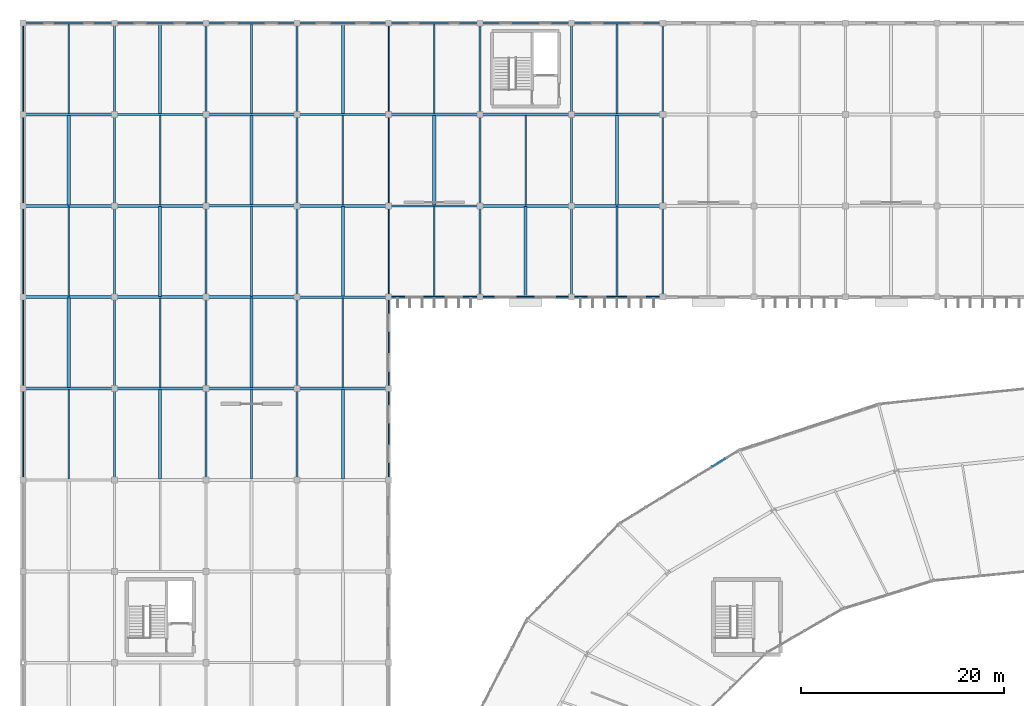
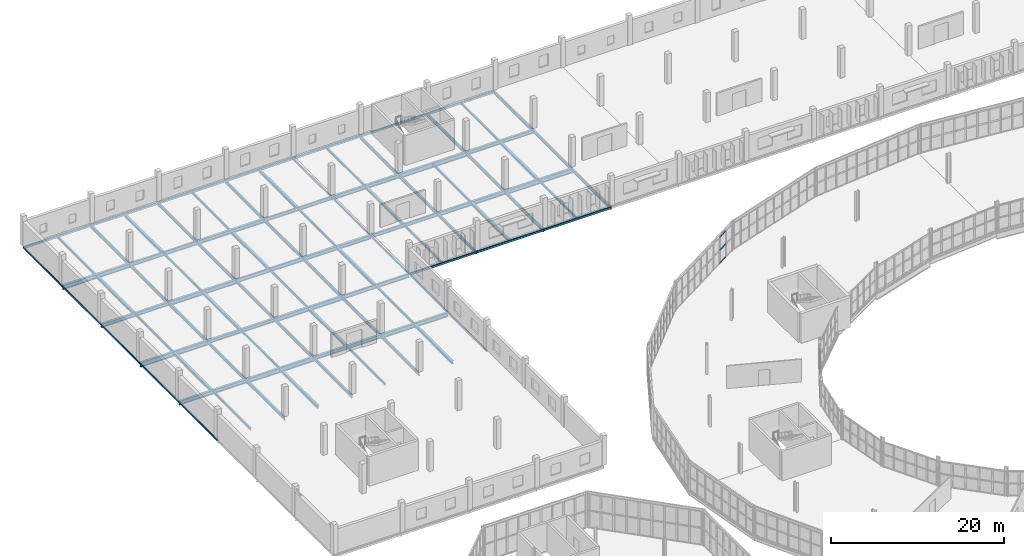
# One storey, part 94 of 161: 94 beams, 3 members, 1 element without a shape of its own.
"""IFC4 building model written with IfcOpenShell, lengths in metres."""

import ifcopenshell
import ifcopenshell.guid

model = None  # the IFC model being written
_history = None  # IfcOwnerHistory: only IFC2X3 demands one
_inside = {}  # id of a spatial element -> (the spatial element, [elements in it])
_under = {}  # id of a project, library or spatial element -> (it, [spatial elements below it])
_declared = {}  # id of a project -> (the project, [libraries it declares])
_typed = {}  # id of a type object -> (the type object, [elements of that type])
_made_of = {}  # id of a material, layer set ... -> (it, [elements and type objects made of it])


def new_model(schema):
    """Start an empty IFC model of exactly this schema.

    Asked for "IFC4X3", IfcOpenShell would pick the latest addendum, in which some entities
    have other attributes; the version numbers below select the first issue.
    IFC2X3 requires an IfcOwnerHistory on every rooted entity: one is made here for all.
    """
    global model, _history
    if schema == "IFC4X3":
        model = ifcopenshell.file(schema_version=(4, 3, 0, 0))
    else:
        model = ifcopenshell.file(schema=schema)
    _inside.clear()
    _under.clear()
    _declared.clear()
    _typed.clear()
    _made_of.clear()
    _history = None
    if model.schema == "IFC2X3":
        org = make("IfcOrganization", Name="unknown")
        user = make(
            "IfcPersonAndOrganization",
            ThePerson=make("IfcPerson", FamilyName="unknown"),
            TheOrganization=org,
        )
        app = make(
            "IfcApplication",
            ApplicationDeveloper=org,
            Version="unknown",
            ApplicationFullName="unknown",
            ApplicationIdentifier="unknown",
        )
        _history = make(
            "IfcOwnerHistory",
            OwningUser=user,
            OwningApplication=app,
            ChangeAction="ADDED",
            CreationDate=0,
        )
    return model


def make(cls, **values):
    """One entity of the class cls with the attributes given. An attribute that is None is left unset."""
    return model.create_entity(
        cls, **{name: value for name, value in values.items() if value is not None}
    )


def rooted(cls, **values):
    """An entity with a GlobalId (a new one), such as an element, a storey or a relation."""
    return make(cls, GlobalId=ifcopenshell.guid.new(), OwnerHistory=_history, **values)


def si_unit(unit_type, name, prefix=None):
    """IfcSIUnit, for example si_unit("LENGTHUNIT", "METRE", prefix="MILLI")."""
    return make("IfcSIUnit", UnitType=unit_type, Prefix=prefix, Name=name)


def assignment(units):
    """IfcUnitAssignment: the units of a project."""
    return None if units is None else make("IfcUnitAssignment", Units=units)


def point(xyz):
    """IfcCartesianPoint."""
    return None if xyz is None else make("IfcCartesianPoint", Coordinates=xyz)


def direction(xyz):
    """IfcDirection."""
    return None if xyz is None else make("IfcDirection", DirectionRatios=xyz)


def frame(location, z_axis=None, x_axis=None):
    """IfcAxis2Placement3D, a coordinate frame: its origin and axes. An axis left out is left unset."""
    return make(
        "IfcAxis2Placement3D",
        Location=point(location),
        Axis=direction(z_axis),
        RefDirection=direction(x_axis),
    )


def frame_2d(location, x_axis=None):
    """IfcAxis2Placement2D, a coordinate frame in the plane: its origin and x axis."""
    return make(
        "IfcAxis2Placement2D", Location=point(location), RefDirection=direction(x_axis)
    )


def origin():
    """The frame at (0, 0, 0) with its axes left unset."""
    return frame((0.0, 0.0, 0.0))


def origin_2d():
    """The frame at (0, 0) in the plane with its x axis left unset."""
    return frame_2d((0.0, 0.0))


def place(relative_to, where):
    """IfcLocalPlacement: puts the frame where relative to a parent placement (None: the world)."""
    return make(
        "IfcLocalPlacement", PlacementRelTo=relative_to, RelativePlacement=where
    )


def context(
    kind, dimensions, precision=None, world=None, true_north=None, identifier=None
):
    """IfcGeometricRepresentationContext, for example the 3D "Model" context."""
    return make(
        "IfcGeometricRepresentationContext",
        ContextIdentifier=identifier,
        ContextType=kind,
        CoordinateSpaceDimension=dimensions,
        Precision=precision,
        WorldCoordinateSystem=world,
        TrueNorth=true_north,
    )


def subcontext(parent, identifier, kind, view, scale=None):
    """IfcGeometricRepresentationSubContext, for example "Body" below "Model"."""
    return make(
        "IfcGeometricRepresentationSubContext",
        ContextIdentifier=identifier,
        ContextType=kind,
        ParentContext=parent,
        TargetScale=scale,
        TargetView=view,
    )


def project(units=None, contexts=None):
    """IfcProject with its units and contexts."""
    return rooted(
        "IfcProject",
        Name="project",
        RepresentationContexts=contexts,
        UnitsInContext=assignment(units),
    )


def spatial(cls, under=None, at=None, **own):
    """A site, building, storey or space (cls), placed at a placement, below another one or the project."""
    s = rooted(cls, ObjectPlacement=at, **own)
    if under is not None:
        _under.setdefault(under.id(), (under, []))[1].append(s)
    return s


def profile(cls, at=None, kind="AREA", **sizes):
    """A parametric profile (cls). Its sizes go by their IFC names, for example OverallWidth=200.0."""
    return make(cls, ProfileType=kind, Position=at, **sizes)


def rectangle(**sizes):
    """IfcRectangleProfileDef."""
    return profile("IfcRectangleProfileDef", **sizes)


def hollow_rectangle(**sizes):
    """IfcRectangleHollowProfileDef."""
    return profile("IfcRectangleHollowProfileDef", **sizes)


def i_section(**sizes):
    """IfcIShapeProfileDef."""
    return profile("IfcIShapeProfileDef", **sizes)


def extrude(swept, where, along, depth):
    """IfcExtrudedAreaSolid: the profile swept, set in the frame where, extruded along a direction by depth."""
    return make(
        "IfcExtrudedAreaSolid",
        SweptArea=swept,
        Position=where,
        ExtrudedDirection=direction(along),
        Depth=depth,
    )


def shape(context_of_items, identifier, shape_type, items):
    """IfcShapeRepresentation: the items that make up one representation, for example the "Body"."""
    return make(
        "IfcShapeRepresentation",
        ContextOfItems=context_of_items,
        RepresentationIdentifier=identifier,
        RepresentationType=shape_type,
        Items=items,
    )


def material(Name=None, Category=None):
    """IfcMaterial."""
    return make("IfcMaterial", Name=Name, Category=Category)


def material_profile(
    of_material, cross_section, Name=None, Category=None, Priority=None
):
    """IfcMaterialProfile: a cross section and its material."""
    return make(
        "IfcMaterialProfile",
        Name=Name,
        Material=of_material,
        Profile=cross_section,
        Priority=Priority,
        Category=Category,
    )


def profile_set(profiles, Name=None, composite=None):
    """IfcMaterialProfileSet."""
    return make(
        "IfcMaterialProfileSet",
        Name=Name,
        MaterialProfiles=profiles,
        CompositeProfile=composite,
    )


def made_of(thing, what):
    """Note that an element or type object is made of a material, layer set ...; save() writes the relation."""
    if what is not None:
        _made_of.setdefault(what.id(), (what, []))[1].append(thing)
    return thing


def type_object(cls, material=None, **own):
    """A type object (cls), such as IfcWallType, which elements share."""
    return made_of(rooted(cls, **own), material)


def element(
    cls,
    number,
    at=None,
    inside=None,
    cuts=None,
    type_object=None,
    material=None,
    context=None,
    identifier="Body",
    shape_type=None,
    held_by="IfcProductDefinitionShape",
    body=None,
    shapes=None,
    **own,
):
    """One element of the class cls, such as IfcWall. Its Tag is "e" and its number.

    at: its placement. inside: the storey or other place that contains it. cuts: it is an
    opening in that element (IfcRelVoidsElement). A single representation is given by context,
    identifier, shape_type and body (its items); several are given by shapes. held_by: the class
    of the entity that holds the representations. save() writes the other relations.
    """
    e = rooted(cls, Tag="e%d" % number, ObjectPlacement=at, **own)
    if body is not None:
        shapes = [shape(context, identifier, shape_type, body)]
    if shapes is not None:
        e.Representation = make(held_by, Representations=shapes)
    if inside is not None:
        _inside.setdefault(inside.id(), (inside, []))[1].append(e)
    if cuts is not None:
        rooted(
            "IfcRelVoidsElement", RelatingBuildingElement=cuts, RelatedOpeningElement=e
        )
    if type_object is not None:
        _typed.setdefault(type_object.id(), (type_object, []))[1].append(e)
    return made_of(e, material)


def aggregate(whole, parts):
    """IfcRelAggregates: a whole, such as a stair, and the parts it consists of."""
    return rooted("IfcRelAggregates", RelatingObject=whole, RelatedObjects=parts)


def save(model, path):
    """Write the relations noted so far, then the file.

    IfcRelAggregates (storeys below a building ...), IfcRelContainedInSpatialStructure (elements
    in a storey), IfcRelDefinesByType, IfcRelAssociatesMaterial and IfcRelDeclares: one each for
    every whole, place, type object, material and project.
    """
    for whole, parts in _under.values():
        aggregate(whole, parts)
    for where, things in _inside.values():
        rooted(
            "IfcRelContainedInSpatialStructure",
            RelatedElements=things,
            RelatingStructure=where,
        )
    for kind, things in _typed.values():
        rooted("IfcRelDefinesByType", RelatedObjects=things, RelatingType=kind)
    for what, things in _made_of.values():
        rooted("IfcRelAssociatesMaterial", RelatedObjects=things, RelatingMaterial=what)
    for by, libraries in _declared.values():
        rooted("IfcRelDeclares", RelatingContext=by, RelatedDefinitions=libraries)
    model.write(path)


model = new_model("IFC4")

# Units and contexts
model_context = context("Model", 3, precision=1e-05, world=origin(), true_north=direction((0.0, 1.0)))
body_context = subcontext(model_context, "Body", "Model", "MODEL_VIEW")
ifc_project = project(units=[si_unit("LENGTHUNIT", "METRE"), si_unit("AREAUNIT", "SQUARE_METRE"), si_unit("VOLUMEUNIT", "CUBIC_METRE"), si_unit("PLANEANGLEUNIT", "RADIAN"), si_unit("MASSUNIT", "GRAM", prefix="KILO")], contexts=[model_context])

# Site, building, storey
site_placement = place(None, origin())
site = spatial("IfcSite", under=ifc_project, at=site_placement, CompositionType="ELEMENT")
building_placement = place(site_placement, origin())
building = spatial("IfcBuilding", under=site, at=building_placement, Name="Kildeholm Park Wholesale Market", CompositionType="ELEMENT")
storey_placement = place(building_placement, frame((0.0, 0.0, 5.39990234375)))
storey = spatial("IfcBuildingStorey", under=building, at=storey_placement, Name="L01", CompositionType="ELEMENT", Elevation=5.39990234375)

# Beams
ifc_material_1 = material(Name="Steel S355", Category="steel")
ifc_material_profile_1 = material_profile(ifc_material_1, i_section(OverallWidth=0.18994140625, OverallDepth=0.449951171875, WebThickness=0.009521484375, FlangeThickness=0.0146484375, FilletRadius=0.02099609375, at=origin_2d()), Name="IPE 450")
ifc_profile_set_1 = profile_set([ifc_material_profile_1], Name="Steel S355")
beam_type_1 = type_object("IfcBeamType", Name="Beam B-P02 IPE 450", PredefinedType="BEAM", material=ifc_profile_set_1)
for number, where, z_axis, x_axis, name in (
    (1, (45.0, 144.0, -0.544921875), (0.0, 1.0, 0.0), (-1.0, 0.0, 0.0), "Beam BM-V4-L01-Y-045-144 BM-0531"),
    (2, (45.0, 153.0, -0.544921875), (0.0, 1.0, 0.0), (-1.0, 0.0, 0.0), "Beam BM-V4-L01-Y-045-153 BM-0534"),
    (3, (45.0, 162.0, -0.544921875), (0.0, 1.0, 0.0), (-1.0, 0.0, 0.0), "Beam BM-V4-L01-Y-045-162 BM-0537"),
    (4, (54.0, 144.0, -0.544921875), (0.0, 1.0, 0.0), (-1.0, 0.0, 0.0), "Beam BM-V4-L01-Y-054-144 BM-0540"),
    (5, (54.0, 153.0, -0.544921875), (0.0, 1.0, 0.0), (-1.0, 0.0, 0.0), "Beam BM-V4-L01-Y-054-153 BM-0543"),
    (6, (54.0, 162.0, -0.544921875), (0.0, 1.0, 0.0), (-1.0, 0.0, 0.0), "Beam BM-V4-L01-Y-054-162 BM-0546"),
    (7, (63.0, 144.0, -0.544921875), (0.0, 1.0, 0.0), (-1.0, 0.0, 0.0), "Beam BM-V4-L01-Y-063-144 BM-0550"),
    (8, (63.0, 153.0, -0.544921875), (0.0, 1.0, 0.0), (-1.0, 0.0, 0.0), "Beam BM-V4-L01-Y-063-153 BM-0553"),
    (9, (63.0, 162.0, -0.544921875), (0.0, 1.0, 0.0), (-1.0, 0.0, 0.0), "Beam BM-V4-L01-Y-063-162 BM-0556"),
    (10, (9.0, 126.0, -0.544921875), (0.0, 1.0, 0.0), (-1.0, 0.0, 0.0), "Beam BM-V4-L01-Y-009-126 BM-0715"),
    (11, (9.0, 135.0, -0.544921875), (0.0, 1.0, 0.0), (-1.0, 0.0, 0.0), "Beam BM-V4-L01-Y-009-135 BM-0718"),
    (12, (9.0, 144.0, -0.544921875), (0.0, 1.0, 0.0), (-1.0, 0.0, 0.0), "Beam BM-V4-L01-Y-009-144 BM-0721"),
    (13, (9.0, 153.0, -0.544921875), (0.0, 1.0, 0.0), (-1.0, 0.0, 0.0), "Beam BM-V4-L01-Y-009-153 BM-0724"),
    (14, (9.0, 162.0, -0.544921875), (0.0, 1.0, 0.0), (-1.0, 0.0, 0.0), "Beam BM-V4-L01-Y-009-162 BM-0727"),
    (15, (18.0, 126.0, -0.544921875), (0.0, 1.0, 0.0), (-1.0, 0.0, 0.0), "Beam BM-V4-L01-Y-018-126 BM-0740"),
    (16, (18.0, 135.0, -0.544921875), (0.0, 1.0, 0.0), (-1.0, 0.0, 0.0), "Beam BM-V4-L01-Y-018-135 BM-0743"),
    (17, (18.0, 144.0, -0.544921875), (0.0, 1.0, 0.0), (-1.0, 0.0, 0.0), "Beam BM-V4-L01-Y-018-144 BM-0746"),
    (18, (18.0, 153.0, -0.544921875), (0.0, 1.0, 0.0), (-1.0, 0.0, 0.0), "Beam BM-V4-L01-Y-018-153 BM-0749"),
    (19, (18.0, 162.0, -0.544921875), (0.0, 1.0, 0.0), (-1.0, 0.0, 0.0), "Beam BM-V4-L01-Y-018-162 BM-0752"),
    (20, (27.0, 126.0, -0.544921875), (0.0, 1.0, 0.0), (-1.0, 0.0, 0.0), "Beam BM-V4-L01-Y-027-126 BM-0765"),
    (21, (27.0, 135.0, -0.544921875), (0.0, 1.0, 0.0), (-1.0, 0.0, 0.0), "Beam BM-V4-L01-Y-027-135 BM-0768"),
    (22, (27.0, 144.0, -0.544921875), (0.0, 1.0, 0.0), (-1.0, 0.0, 0.0), "Beam BM-V4-L01-Y-027-144 BM-0771"),
    (23, (27.0, 153.0, -0.544921875), (0.0, 1.0, 0.0), (-1.0, 0.0, 0.0), "Beam BM-V4-L01-Y-027-153 BM-0774"),
    (24, (27.0, 162.0, -0.544921875), (0.0, 1.0, 0.0), (-1.0, 0.0, 0.0), "Beam BM-V4-L01-Y-027-162 BM-0777"),
):
    element("IfcBeam", number, at=place(storey_placement, frame(where, z_axis=z_axis, x_axis=x_axis)), inside=storey, type_object=beam_type_1, Name=name, PredefinedType="BEAM", context=body_context, shape_type="SweptSolid", body=[
        extrude(i_section(OverallWidth=0.18994140625, OverallDepth=0.449951171875, WebThickness=0.009521484375, FlangeThickness=0.0146484375, FilletRadius=0.02099609375, at=origin_2d()), origin(), (0.0, 0.0, 1.0), 9.0),
    ])
ifc_material_profile_2 = material_profile(ifc_material_1, i_section(OverallWidth=0.199951171875, OverallDepth=0.5, WebThickness=0.01025390625, FlangeThickness=0.01611328125, FilletRadius=0.02099609375, at=origin_2d()), Name="IPE 500")
ifc_profile_set_2 = profile_set([ifc_material_profile_2], Name="Steel S355")
beam_type_2 = type_object("IfcBeamType", Name="Beam B-P03 IPE 500", PredefinedType="BEAM", material=ifc_profile_set_2)
for number, where, z_axis, x_axis, name in (
    (25, (36.0, 153.0, -0.56982421875), (1.0, 0.0, 0.0), (0.0, 1.0, 0.0), "Beam BM-V4-L01-X-036-153 BM-0523"),
    (26, (27.0, 162.0, -0.56982421875), (1.0, 0.0, 0.0), (0.0, 1.0, 0.0), "Beam BM-V4-L01-X-027-162 BM-0776"),
):
    element("IfcBeam", number, at=place(storey_placement, frame(where, z_axis=z_axis, x_axis=x_axis)), inside=storey, type_object=beam_type_2, Name=name, PredefinedType="BEAM", context=body_context, shape_type="SweptSolid", body=[
        extrude(i_section(OverallWidth=0.199951171875, OverallDepth=0.5, WebThickness=0.01025390625, FlangeThickness=0.01611328125, FilletRadius=0.02099609375, at=origin_2d()), origin(), (0.0, 0.0, 1.0), 9.0),
    ])
ifc_material_profile_3 = material_profile(ifc_material_1, i_section(OverallWidth=0.2099609375, OverallDepth=0.550048828125, WebThickness=0.010986328125, FlangeThickness=0.01708984375, FilletRadius=0.02392578125, at=origin_2d()), Name="IPE 550")
ifc_profile_set_3 = profile_set([ifc_material_profile_3], Name="Steel S355")
beam_type_3 = type_object("IfcBeamType", Name="Beam B-X01 IPE 550", PredefinedType="BEAM", material=ifc_profile_set_3)
for number, where, z_axis, x_axis, name in (
    (27, (9.0, 162.0, -0.594970703125), (1.0, 0.0, 0.0), (0.0, 1.0, 0.0), "Beam BM-V4-L01-X-009-162 BM-0726"),
    (28, (18.0, 153.0, -0.594970703125), (1.0, 0.0, 0.0), (0.0, 1.0, 0.0), "Beam BM-V4-L01-X-018-153 BM-0748"),
    (29, (27.0, 144.0, -0.594970703125), (1.0, 0.0, 0.0), (0.0, 1.0, 0.0), "Beam BM-V4-L01-X-027-144 BM-0770"),
):
    element("IfcBeam", number, at=place(storey_placement, frame(where, z_axis=z_axis, x_axis=x_axis)), inside=storey, type_object=beam_type_3, Name=name, PredefinedType="BEAM", context=body_context, shape_type="SweptSolid", body=[
        extrude(i_section(OverallWidth=0.2099609375, OverallDepth=0.550048828125, WebThickness=0.010986328125, FlangeThickness=0.01708984375, FilletRadius=0.02392578125, at=origin_2d()), origin(), (0.0, 0.0, 1.0), 9.0),
    ])
ifc_material_profile_4 = material_profile(ifc_material_1, i_section(OverallWidth=0.300048828125, OverallDepth=0.5400390625, WebThickness=0.012451171875, FlangeThickness=0.02392578125, FilletRadius=0.027099609375, at=origin_2d()), Name="HEA 550")
ifc_profile_set_4 = profile_set([ifc_material_profile_4], Name="Steel S355")
beam_type_4 = type_object("IfcBeamType", Name="Beam B-X02 HEA 550", PredefinedType="BEAM", material=ifc_profile_set_4)
for number, where, z_axis, x_axis, name in (
    (30, (18.0, 162.0, -0.58984375), (1.0, 0.0, 0.0), (0.0, 1.0, 0.0), "Beam BM-V4-L01-X-018-162 BM-0751"),
    (31, (27.0, 153.0, -0.58984375), (1.0, 0.0, 0.0), (0.0, 1.0, 0.0), "Beam BM-V4-L01-X-027-153 BM-0773"),
):
    element("IfcBeam", number, at=place(storey_placement, frame(where, z_axis=z_axis, x_axis=x_axis)), inside=storey, type_object=beam_type_4, Name=name, PredefinedType="BEAM", context=body_context, shape_type="SweptSolid", body=[
        extrude(i_section(OverallWidth=0.300048828125, OverallDepth=0.5400390625, WebThickness=0.012451171875, FlangeThickness=0.02392578125, FilletRadius=0.027099609375, at=origin_2d()), origin(), (0.0, 0.0, 1.0), 9.0),
    ])
ifc_material_profile_5 = material_profile(ifc_material_1, i_section(OverallWidth=0.300048828125, OverallDepth=0.550048828125, WebThickness=0.014892578125, FlangeThickness=0.029052734375, FilletRadius=0.027099609375, at=origin_2d()), Name="HEB 550")
ifc_profile_set_5 = profile_set([ifc_material_profile_5], Name="Steel S355")
beam_type_5 = type_object("IfcBeamType", Name="Beam B-X03 HEB 550", PredefinedType="BEAM", material=ifc_profile_set_5)
for number, where, z_axis, x_axis, name in (
    (32, (36.0, 162.0, -0.594970703125), (1.0, 0.0, 0.0), (0.0, 1.0, 0.0), "Beam BM-V4-L01-X-036-162 BM-0526"),
    (33, (45.0, 153.0, -0.594970703125), (1.0, 0.0, 0.0), (0.0, 1.0, 0.0), "Beam BM-V4-L01-X-045-153 BM-0533"),
    (34, (0.0, 135.0, -0.594970703125), (1.0, 0.0, 0.0), (0.0, 1.0, 0.0), "Beam BM-V4-L01-X-000-135 BM-0693"),
):
    element("IfcBeam", number, at=place(storey_placement, frame(where, z_axis=z_axis, x_axis=x_axis)), inside=storey, type_object=beam_type_5, Name=name, PredefinedType="BEAM", context=body_context, shape_type="SweptSolid", body=[
        extrude(i_section(OverallWidth=0.300048828125, OverallDepth=0.550048828125, WebThickness=0.014892578125, FlangeThickness=0.029052734375, FilletRadius=0.027099609375, at=origin_2d()), origin(), (0.0, 0.0, 1.0), 9.0),
    ])
ifc_material_profile_6 = material_profile(ifc_material_1, i_section(OverallWidth=0.300048828125, OverallDepth=0.64990234375, WebThickness=0.01611328125, FlangeThickness=0.031005859375, FilletRadius=0.027099609375, at=origin_2d()), Name="HEB 650")
ifc_profile_set_6 = profile_set([ifc_material_profile_6], Name="Steel S355")
beam_type_6 = type_object("IfcBeamType", Name="Beam B-X04 HEB 650", PredefinedType="BEAM", material=ifc_profile_set_6)
for number, where, z_axis, x_axis, name in (
    (35, (45.0, 162.0, -0.64501953125), (1.0, 0.0, 0.0), (0.0, 1.0, 0.0), "Beam BM-V4-L01-X-045-162 BM-0536"),
    (36, (54.0, 153.0, -0.64501953125), (1.0, 0.0, 0.0), (0.0, 1.0, 0.0), "Beam BM-V4-L01-X-054-153 BM-0542"),
    (37, (0.0, 144.0, -0.64501953125), (1.0, 0.0, 0.0), (0.0, 1.0, 0.0), "Beam BM-V4-L01-X-000-144 BM-0696"),
    (38, (9.0, 135.0, -0.64501953125), (1.0, 0.0, 0.0), (0.0, 1.0, 0.0), "Beam BM-V4-L01-X-009-135 BM-0717"),
):
    element("IfcBeam", number, at=place(storey_placement, frame(where, z_axis=z_axis, x_axis=x_axis)), inside=storey, type_object=beam_type_6, Name=name, PredefinedType="BEAM", context=body_context, shape_type="SweptSolid", body=[
        extrude(i_section(OverallWidth=0.300048828125, OverallDepth=0.64990234375, WebThickness=0.01611328125, FlangeThickness=0.031005859375, FilletRadius=0.027099609375, at=origin_2d()), origin(), (0.0, 0.0, 1.0), 9.0),
    ])
ifc_material_profile_7 = material_profile(ifc_material_1, i_section(OverallWidth=0.300048828125, OverallDepth=0.5, WebThickness=0.014404296875, FlangeThickness=0.028076171875, FilletRadius=0.027099609375, at=origin_2d()), Name="HEB 500")
ifc_profile_set_7 = profile_set([ifc_material_profile_7], Name="Steel S355")
beam_type_7 = type_object("IfcBeamType", Name="Beam B-X05 HEB 500", PredefinedType="BEAM", material=ifc_profile_set_7)
for number, where, z_axis, x_axis, name in (
    (39, (54.0, 162.0, -0.56982421875), (1.0, 0.0, 0.0), (0.0, 1.0, 0.0), "Beam BM-V4-L01-X-054-162 BM-0545"),
    (40, (0.0, 153.0, -0.56982421875), (1.0, 0.0, 0.0), (0.0, 1.0, 0.0), "Beam BM-V4-L01-X-000-153 BM-0699"),
    (41, (9.0, 144.0, -0.56982421875), (1.0, 0.0, 0.0), (0.0, 1.0, 0.0), "Beam BM-V4-L01-X-009-144 BM-0720"),
    (42, (18.0, 135.0, -0.56982421875), (1.0, 0.0, 0.0), (0.0, 1.0, 0.0), "Beam BM-V4-L01-X-018-135 BM-0742"),
):
    element("IfcBeam", number, at=place(storey_placement, frame(where, z_axis=z_axis, x_axis=x_axis)), inside=storey, type_object=beam_type_7, Name=name, PredefinedType="BEAM", context=body_context, shape_type="SweptSolid", body=[
        extrude(i_section(OverallWidth=0.300048828125, OverallDepth=0.5, WebThickness=0.014404296875, FlangeThickness=0.028076171875, FilletRadius=0.027099609375, at=origin_2d()), origin(), (0.0, 0.0, 1.0), 9.0),
    ])
ifc_material_profile_8 = material_profile(ifc_material_1, i_section(OverallWidth=0.300048828125, OverallDepth=0.60009765625, WebThickness=0.015380859375, FlangeThickness=0.030029296875, FilletRadius=0.027099609375, at=origin_2d()), Name="HEB 600")
ifc_profile_set_8 = profile_set([ifc_material_profile_8], Name="Steel S355")
beam_type_8 = type_object("IfcBeamType", Name="Beam B-X06 HEB 600", PredefinedType="BEAM", material=ifc_profile_set_8)
for number, where, z_axis, x_axis, name in (
    (43, (0.0, 162.0, -0.619873046875), (1.0, 0.0, 0.0), (0.0, 1.0, 0.0), "Beam BM-V4-L01-X-000-162 BM-0702"),
    (44, (9.0, 153.0, -0.619873046875), (1.0, 0.0, 0.0), (0.0, 1.0, 0.0), "Beam BM-V4-L01-X-009-153 BM-0723"),
    (45, (18.0, 144.0, -0.619873046875), (1.0, 0.0, 0.0), (0.0, 1.0, 0.0), "Beam BM-V4-L01-X-018-144 BM-0745"),
    (46, (27.0, 135.0, -0.619873046875), (1.0, 0.0, 0.0), (0.0, 1.0, 0.0), "Beam BM-V4-L01-X-027-135 BM-0767"),
):
    element("IfcBeam", number, at=place(storey_placement, frame(where, z_axis=z_axis, x_axis=x_axis)), inside=storey, type_object=beam_type_8, Name=name, PredefinedType="BEAM", context=body_context, shape_type="SweptSolid", body=[
        extrude(i_section(OverallWidth=0.300048828125, OverallDepth=0.60009765625, WebThickness=0.015380859375, FlangeThickness=0.030029296875, FilletRadius=0.027099609375, at=origin_2d()), origin(), (0.0, 0.0, 1.0), 9.0),
    ])
ifc_material_profile_9 = material_profile(ifc_material_1, i_section(OverallWidth=0.159912109375, OverallDepth=0.330078125, WebThickness=0.007568359375, FlangeThickness=0.011474609375, FilletRadius=0.01806640625, at=origin_2d()), Name="IPE 330")
ifc_profile_set_9 = profile_set([ifc_material_profile_9], Name="Steel S355")
beam_type_9 = type_object("IfcBeamType", Name="Beam J-03 IPE 330", PredefinedType="JOIST", material=ifc_profile_set_9)
for number, where, z_axis, x_axis, name in (
    (47, (40.5, 144.0849609375, -0.48486328125), (0.0, 1.0, 0.0), (-1.0, 0.0, 0.0), "Beam JT-V4-L01-036-144 BM-0522"),
    (48, (40.5, 162.0849609375, -0.48486328125), (0.0, 1.0, 0.0), (-1.0, 0.0, 0.0), "Beam JT-V4-L01-036-162 BM-0528"),
    (49, (49.5, 153.0849609375, -0.48486328125), (0.0, 1.0, 0.0), (-1.0, 0.0, 0.0), "Beam JT-V4-L01-045-153 BM-0535"),
    (50, (58.5, 144.0849609375, -0.48486328125), (0.0, 1.0, 0.0), (-1.0, 0.0, 0.0), "Beam JT-V4-L01-054-144 BM-0541"),
    (51, (58.5, 162.0849609375, -0.48486328125), (0.0, 1.0, 0.0), (-1.0, 0.0, 0.0), "Beam JT-V4-L01-054-162 BM-0547"),
    (52, (4.5, 126.0849609375, -0.48486328125), (0.0, 1.0, 0.0), (-1.0, 0.0, 0.0), "Beam JT-V4-L01-000-126 BM-0692"),
    (53, (4.5, 144.0849609375, -0.48486328125), (0.0, 1.0, 0.0), (-1.0, 0.0, 0.0), "Beam JT-V4-L01-000-144 BM-0698"),
    (54, (4.5, 162.0849609375, -0.48486328125), (0.0, 1.0, 0.0), (-1.0, 0.0, 0.0), "Beam JT-V4-L01-000-162 BM-0704"),
    (55, (13.5, 135.0849609375, -0.48486328125), (0.0, 1.0, 0.0), (-1.0, 0.0, 0.0), "Beam JT-V4-L01-009-135 BM-0719"),
    (56, (13.5, 153.0849609375, -0.48486328125), (0.0, 1.0, 0.0), (-1.0, 0.0, 0.0), "Beam JT-V4-L01-009-153 BM-0725"),
    (57, (22.5, 126.0849609375, -0.48486328125), (0.0, 1.0, 0.0), (-1.0, 0.0, 0.0), "Beam JT-V4-L01-018-126 BM-0741"),
    (58, (22.5, 144.0849609375, -0.48486328125), (0.0, 1.0, 0.0), (-1.0, 0.0, 0.0), "Beam JT-V4-L01-018-144 BM-0747"),
    (59, (22.5, 162.0849609375, -0.48486328125), (0.0, 1.0, 0.0), (-1.0, 0.0, 0.0), "Beam JT-V4-L01-018-162 BM-0753"),
    (60, (31.5, 135.0849609375, -0.48486328125), (0.0, 1.0, 0.0), (-1.0, 0.0, 0.0), "Beam JT-V4-L01-027-135 BM-0769"),
    (61, (31.5, 153.0849609375, -0.48486328125), (0.0, 1.0, 0.0), (-1.0, 0.0, 0.0), "Beam JT-V4-L01-027-153 BM-0775"),
):
    element("IfcBeam", number, at=place(storey_placement, frame(where, z_axis=z_axis, x_axis=x_axis)), inside=storey, type_object=beam_type_9, Name=name, PredefinedType="JOIST", context=body_context, shape_type="SweptSolid", body=[
        extrude(i_section(OverallWidth=0.159912109375, OverallDepth=0.330078125, WebThickness=0.007568359375, FlangeThickness=0.011474609375, FilletRadius=0.01806640625, at=origin_2d()), origin(), (0.0, 0.0, 1.0), 8.830078125),
    ])
ifc_material_profile_10 = material_profile(ifc_material_1, i_section(OverallWidth=0.300048828125, OverallDepth=0.389892578125, WebThickness=0.010986328125, FlangeThickness=0.01904296875, FilletRadius=0.027099609375, at=origin_2d()), Name="HEA 400")
ifc_profile_set_10 = profile_set([ifc_material_profile_10], Name="Steel S355")
beam_type_10 = type_object("IfcBeamType", Name="Beam J-06 HEA 400", PredefinedType="JOIST", material=ifc_profile_set_10)
for number, where, z_axis, x_axis, name in (
    (62, (40.5, 153.0849609375, -0.514892578125), (0.0, 1.0, 0.0), (-1.0, 0.0, 0.0), "Beam JT-V4-L01-036-153 BM-0525"),
    (63, (49.5, 144.0849609375, -0.514892578125), (0.0, 1.0, 0.0), (-1.0, 0.0, 0.0), "Beam JT-V4-L01-045-144 BM-0532"),
    (64, (58.5, 153.0849609375, -0.514892578125), (0.0, 1.0, 0.0), (-1.0, 0.0, 0.0), "Beam JT-V4-L01-054-153 BM-0544"),
    (65, (4.5, 135.0849609375, -0.514892578125), (0.0, 1.0, 0.0), (-1.0, 0.0, 0.0), "Beam JT-V4-L01-000-135 BM-0695"),
    (66, (4.5, 153.0849609375, -0.514892578125), (0.0, 1.0, 0.0), (-1.0, 0.0, 0.0), "Beam JT-V4-L01-000-153 BM-0701"),
    (67, (13.5, 126.0849609375, -0.514892578125), (0.0, 1.0, 0.0), (-1.0, 0.0, 0.0), "Beam JT-V4-L01-009-126 BM-0716"),
    (68, (13.5, 144.0849609375, -0.514892578125), (0.0, 1.0, 0.0), (-1.0, 0.0, 0.0), "Beam JT-V4-L01-009-144 BM-0722"),
    (69, (13.5, 162.0849609375, -0.514892578125), (0.0, 1.0, 0.0), (-1.0, 0.0, 0.0), "Beam JT-V4-L01-009-162 BM-0728"),
    (70, (22.5, 135.0849609375, -0.514892578125), (0.0, 1.0, 0.0), (-1.0, 0.0, 0.0), "Beam JT-V4-L01-018-135 BM-0744"),
    (71, (22.5, 153.0849609375, -0.514892578125), (0.0, 1.0, 0.0), (-1.0, 0.0, 0.0), "Beam JT-V4-L01-018-153 BM-0750"),
    (72, (31.5, 126.0849609375, -0.514892578125), (0.0, 1.0, 0.0), (-1.0, 0.0, 0.0), "Beam JT-V4-L01-027-126 BM-0766"),
    (73, (31.5, 144.0849609375, -0.514892578125), (0.0, 1.0, 0.0), (-1.0, 0.0, 0.0), "Beam JT-V4-L01-027-144 BM-0772"),
    (74, (31.5, 162.0849609375, -0.514892578125), (0.0, 1.0, 0.0), (-1.0, 0.0, 0.0), "Beam JT-V4-L01-027-162 BM-0778"),
):
    element("IfcBeam", number, at=place(storey_placement, frame(where, z_axis=z_axis, x_axis=x_axis)), inside=storey, type_object=beam_type_10, Name=name, PredefinedType="JOIST", context=body_context, shape_type="SweptSolid", body=[
        extrude(i_section(OverallWidth=0.300048828125, OverallDepth=0.389892578125, WebThickness=0.010986328125, FlangeThickness=0.01904296875, FilletRadius=0.027099609375, at=origin_2d()), origin(), (0.0, 0.0, 1.0), 8.830078125),
    ])
ifc_material_profile_11 = material_profile(ifc_material_1, hollow_rectangle(XDim=0.199951171875, YDim=0.300048828125, WallThickness=0.012451171875, InnerFilletRadius=0.012451171875, OuterFilletRadius=0.02490234375, at=origin_2d()), Name="RHS 300x200x12.5")
ifc_profile_set_11 = profile_set([ifc_material_profile_11], Name="Steel S355")
beam_type_11 = type_object("IfcBeamType", Name="Beam SP-01 RHS 300x200x12.5", PredefinedType="SPANDREL", material=ifc_profile_set_11)
for number, where, z_axis, x_axis, name in (
    (75, (36.0, 144.0, -0.469970703125), (1.0, 0.0, 0.0), (0.0, 1.0, 0.0), "Beam BM-V4-L01-X-036-144 BM-0520"),
    (76, (36.0, 171.0, -0.469970703125), (1.0, 0.0, 0.0), (0.0, 1.0, 0.0), "Beam BM-V4-L01-X-036-171 BM-0529"),
    (77, (45.0, 144.0, -0.469970703125), (1.0, 0.0, 0.0), (0.0, 1.0, 0.0), "Beam BM-V4-L01-X-045-144 BM-0530"),
    (78, (45.0, 171.0, -0.469970703125), (1.0, 0.0, 0.0), (0.0, 1.0, 0.0), "Beam BM-V4-L01-X-045-171 BM-0538"),
    (79, (54.0, 144.0, -0.469970703125), (1.0, 0.0, 0.0), (0.0, 1.0, 0.0), "Beam BM-V4-L01-X-054-144 BM-0539"),
    (80, (54.0, 171.0, -0.469970703125), (1.0, 0.0, 0.0), (0.0, 1.0, 0.0), "Beam BM-V4-L01-X-054-171 BM-0548"),
    (81, (0.0, 171.0, -0.469970703125), (1.0, 0.0, 0.0), (0.0, 1.0, 0.0), "Beam BM-V4-L01-X-000-171 BM-0705"),
    (82, (9.0, 171.0, -0.469970703125), (1.0, 0.0, 0.0), (0.0, 1.0, 0.0), "Beam BM-V4-L01-X-009-171 BM-0729"),
    (83, (18.0, 171.0, -0.469970703125), (1.0, 0.0, 0.0), (0.0, 1.0, 0.0), "Beam BM-V4-L01-X-018-171 BM-0754"),
    (84, (27.0, 171.0, -0.469970703125), (1.0, 0.0, 0.0), (0.0, 1.0, 0.0), "Beam BM-V4-L01-X-027-171 BM-0779"),
):
    element("IfcBeam", number, at=place(storey_placement, frame(where, z_axis=z_axis, x_axis=x_axis)), inside=storey, type_object=beam_type_11, Name=name, PredefinedType="SPANDREL", context=body_context, shape_type="SweptSolid", body=[
        extrude(hollow_rectangle(XDim=0.199951171875, YDim=0.300048828125, WallThickness=0.012451171875, InnerFilletRadius=0.012451171875, OuterFilletRadius=0.02490234375, at=origin_2d()), origin(), (0.0, 0.0, 1.0), 9.0),
    ])
ifc_material_profile_12 = material_profile(ifc_material_1, hollow_rectangle(XDim=0.14990234375, YDim=0.25, WallThickness=0.010009765625, InnerFilletRadius=0.010009765625, OuterFilletRadius=0.02001953125, at=origin_2d()), Name="RHS 250x150x10")
ifc_profile_set_12 = profile_set([ifc_material_profile_12], Name="Steel S355")
beam_type_12 = type_object("IfcBeamType", Name="Beam SP-02 RHS 250x150x10", PredefinedType="SPANDREL", material=ifc_profile_set_12)
for number, where, z_axis, x_axis, name in (
    (85, (36.0, 144.0, -0.44482421875), (0.0, 1.0, 0.0), (-1.0, 0.0, 0.0), "Beam BM-V4-L01-Y-036-144 BM-0521"),
    (86, (36.0, 153.0, -0.44482421875), (0.0, 1.0, 0.0), (-1.0, 0.0, 0.0), "Beam BM-V4-L01-Y-036-153 BM-0524"),
    (87, (36.0, 162.0, -0.44482421875), (0.0, 1.0, 0.0), (-1.0, 0.0, 0.0), "Beam BM-V4-L01-Y-036-162 BM-0527"),
    (88, (0.0, 126.0, -0.44482421875), (0.0, 1.0, 0.0), (-1.0, 0.0, 0.0), "Beam BM-V4-L01-Y-000-126 BM-0691"),
    (89, (0.0, 135.0, -0.44482421875), (0.0, 1.0, 0.0), (-1.0, 0.0, 0.0), "Beam BM-V4-L01-Y-000-135 BM-0694"),
    (90, (0.0, 144.0, -0.44482421875), (0.0, 1.0, 0.0), (-1.0, 0.0, 0.0), "Beam BM-V4-L01-Y-000-144 BM-0697"),
    (91, (0.0, 153.0, -0.44482421875), (0.0, 1.0, 0.0), (-1.0, 0.0, 0.0), "Beam BM-V4-L01-Y-000-153 BM-0700"),
    (92, (0.0, 162.0, -0.44482421875), (0.0, 1.0, 0.0), (-1.0, 0.0, 0.0), "Beam BM-V4-L01-Y-000-162 BM-0703"),
    (93, (36.0, 126.0, -0.44482421875), (0.0, 1.0, 0.0), (-1.0, 0.0, 0.0), "Beam BM-V4-L01-Y-036-126 BM-0783"),
    (94, (36.0, 135.0, -0.44482421875), (0.0, 1.0, 0.0), (-1.0, 0.0, 0.0), "Beam BM-V4-L01-Y-036-135 BM-0784"),
):
    element("IfcBeam", number, at=place(storey_placement, frame(where, z_axis=z_axis, x_axis=x_axis)), inside=storey, type_object=beam_type_12, Name=name, PredefinedType="SPANDREL", context=body_context, shape_type="SweptSolid", body=[
        extrude(hollow_rectangle(XDim=0.14990234375, YDim=0.25, WallThickness=0.010009765625, InnerFilletRadius=0.010009765625, OuterFilletRadius=0.02001953125, at=origin_2d()), origin(), (0.0, 0.0, 1.0), 9.0),
    ])

# Curtain wall, members
ifc_material_2 = material(Name="Anodised aluminium and low-E double-glazed glass", Category="aluminium")
curtain_wall_type = type_object("IfcCurtainWallType", Name="Market hall glazed arcade stick curtain wall CW-01", PredefinedType="NOTDEFINED", material=ifc_material_2)
curtain_wall_placement = place(storey_placement, origin())
curtain_wall = element("IfcCurtainWall", 95, at=curtain_wall_placement, inside=storey, type_object=curtain_wall_type, Name="Curtain wall CW-V1-OT-08-1 CW-0039", PredefinedType="NOTDEFINED")
ifc_material_3 = material(Name="Anodised aluminium", Category="aluminium")
ifc_material_profile_13 = material_profile(ifc_material_3, rectangle(XDim=0.06494140625, YDim=0.139892578125, at=origin_2d()), Name="CWT 65x140")
ifc_profile_set_13 = profile_set([ifc_material_profile_13], Name="Anodised aluminium")
member_type = type_object("IfcMemberType", Name="Curtain-wall transom CWT-1 CWT 65x140", PredefinedType="USERDEFINED", material=ifc_profile_set_13)
member_1_placement = place(storey_placement, frame((69.131103515625, 128.0712890625, 0.03271484375), z_axis=(-0.852749773826, -0.522319656187, 0.0), x_axis=(0.522319656187, -0.852749773826, 0.0)))
member_1 = element("IfcMember", 96, at=member_1_placement, type_object=member_type, Name="CW-01 transom 2.1 MEM-1485", ObjectType="TRANSOM", PredefinedType="USERDEFINED", context=body_context, shape_type="SweptSolid", body=[
    extrude(rectangle(XDim=0.06494140625, YDim=0.139892578125, at=origin_2d()), origin(), (0.0, 0.0, 1.0), 1.46435546875),
])
member_2_placement = place(storey_placement, frame((69.131103515625, 128.0712890625, 1.900146484375), z_axis=(-0.852749773826, -0.522319656187, 0.0), x_axis=(0.522319656187, -0.852749773826, 0.0)))
member_2 = element("IfcMember", 97, at=member_2_placement, type_object=member_type, Name="CW-01 transom 2.2 MEM-1486", ObjectType="TRANSOM", PredefinedType="USERDEFINED", context=body_context, shape_type="SweptSolid", body=[
    extrude(rectangle(XDim=0.06494140625, YDim=0.139892578125, at=origin_2d()), origin(), (0.0, 0.0, 1.0), 1.46435546875),
])
member_3_placement = place(storey_placement, frame((69.131103515625, 128.0712890625, 3.767578125), z_axis=(-0.852749773826, -0.522319656187, 0.0), x_axis=(0.522319656187, -0.852749773826, 0.0)))
member_3 = element("IfcMember", 98, at=member_3_placement, type_object=member_type, Name="CW-01 transom 2.3 MEM-1487", ObjectType="TRANSOM", PredefinedType="USERDEFINED", context=body_context, shape_type="SweptSolid", body=[
    extrude(rectangle(XDim=0.06494140625, YDim=0.139892578125, at=origin_2d()), origin(), (0.0, 0.0, 1.0), 1.46435546875),
])
aggregate(curtain_wall, [member_1, member_2, member_3])

save(model, "model.ifc")
